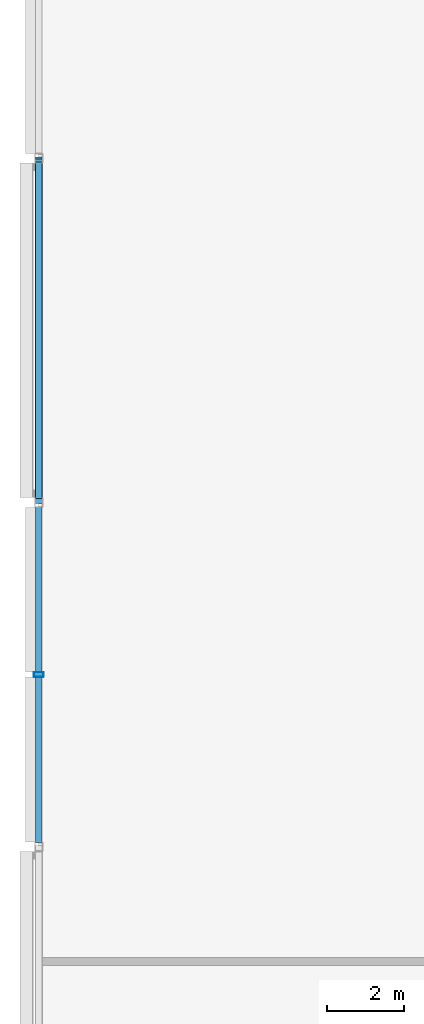
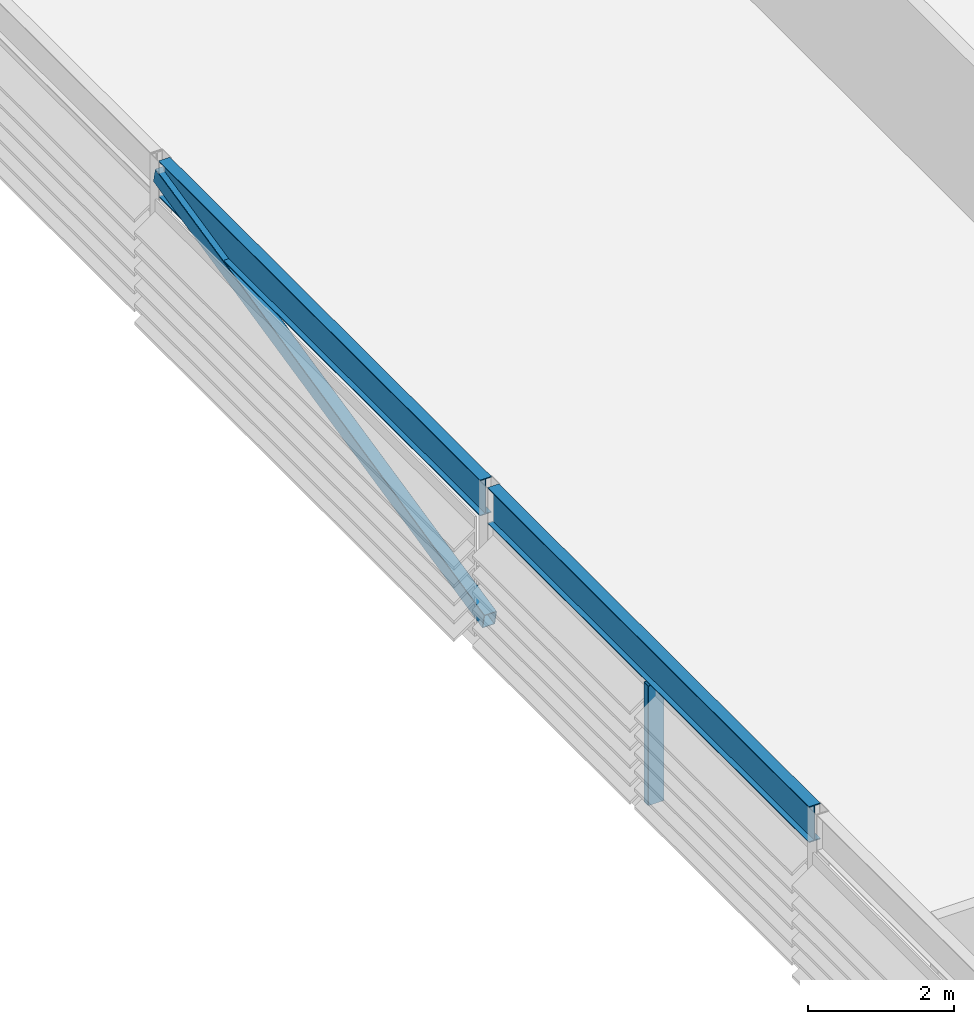
# One storey, part 7 of 27: 2 beams, 2 members.
"""IFC4 building model written with IfcOpenShell, lengths in metres."""

from ifc_helpers import new_model, si_unit, direction, frame, origin, origin_2d, place, context, subcontext, project, spatial, hollow_rectangle, i_section, extrude, material, material_profile, profile_set, type_object, element, save


model = new_model("IFC4")

# Units and contexts
model_context = context("Model", 3, precision=1e-05, world=origin(), true_north=direction((0.0, 1.0)))
body_context = subcontext(model_context, "Body", "Model", "MODEL_VIEW")
ifc_project = project(units=[si_unit("LENGTHUNIT", "METRE"), si_unit("AREAUNIT", "SQUARE_METRE"), si_unit("VOLUMEUNIT", "CUBIC_METRE"), si_unit("PLANEANGLEUNIT", "RADIAN"), si_unit("MASSUNIT", "GRAM", prefix="KILO")], contexts=[model_context])

# Site, building, storey
site_placement = place(None, origin())
site = spatial("IfcSite", under=ifc_project, at=site_placement, CompositionType="ELEMENT")
building_placement = place(site_placement, origin())
building = spatial("IfcBuilding", under=site, at=building_placement, Name="Madar Terraces", CompositionType="ELEMENT")
storey_placement = place(building_placement, frame((0.0, 0.0, 314.300048828125)))
storey = spatial("IfcBuildingStorey", under=building, at=storey_placement, Name="L81", CompositionType="ELEMENT", Elevation=314.300048828125)

# Beams
ifc_material_1 = material(Name="Steel ASTM A992 Grade 50", Category="steel")
ifc_material_profile_1 = material_profile(ifc_material_1, i_section(OverallWidth=0.1787109375, OverallDepth=0.60205078125, WebThickness=0.010986328125, FlangeThickness=0.014892578125, at=origin_2d()), Name="W24x62")
ifc_profile_set_1 = profile_set([ifc_material_profile_1], Name="Steel ASTM A992 Grade 50")
beam_type = type_object("IfcBeamType", Name="CF2 W24x62", PredefinedType="BEAM", material=ifc_profile_set_1)
for number, where, z_axis, x_axis, name in (
    (1, (1.199951171875, 32.8984375, 2.299072265625), (0.0, -1.0, 0.0), (1.0, 0.0, 0.0), "Crown frame ring beam CF2"),
    (2, (1.199951171875, 23.8984375, 2.299072265625), (0.0, -1.0, 0.0), (1.0, 0.0, 0.0), "Crown frame ring beam CF2"),
):
    element("IfcBeam", number, at=place(storey_placement, frame(where, z_axis=z_axis, x_axis=x_axis)), inside=storey, type_object=beam_type, Name=name, PredefinedType="BEAM", context=body_context, shape_type="SweptSolid", body=[
        extrude(i_section(OverallWidth=0.1787109375, OverallDepth=0.60205078125, WebThickness=0.010986328125, FlangeThickness=0.014892578125, at=origin_2d()), origin(), (0.0, 0.0, 1.0), 8.796875),
    ])

# Members
ifc_material_2 = material(Name="Steel ASTM A500 Grade C", Category="steel")
ifc_material_profile_2 = material_profile(ifc_material_2, hollow_rectangle(XDim=0.203125, YDim=0.25390625, WallThickness=0.009521484375, InnerFilletRadius=0.00439453125, OuterFilletRadius=0.01318359375, at=origin_2d()), Name="HSS10x8x.375")
ifc_profile_set_2 = profile_set([ifc_material_profile_2], Name="Steel ASTM A500 Grade C")
member_type_1 = type_object("IfcMemberType", Name="CF5 crown frame brace HSS10x8x.375", PredefinedType="BRACE", material=ifc_profile_set_2)
member_1_placement = place(storey_placement, frame((1.199951171875, 33.0, 2.299072265625), z_axis=(0.0, -0.976209486249, -0.21682951588), x_axis=(1.0, 0.0, 0.0)))
element("IfcMember", 3, at=member_1_placement, inside=storey, type_object=member_type_1, Name="Crown frame brace CF5", PredefinedType="BRACE", context=body_context, shape_type="SweptSolid", body=[
    extrude(hollow_rectangle(XDim=0.203125, YDim=0.25390625, WallThickness=0.009521484375, InnerFilletRadius=0.00439453125, OuterFilletRadius=0.01318359375, at=origin_2d()), origin(), (0.0, 0.0, 1.0), 9.21923828125),
])
ifc_material_3 = material(Name="Steel ASTM A500 Grade C", Category="steel")
ifc_material_profile_3 = material_profile(ifc_material_3, hollow_rectangle(XDim=0.126953125, YDim=0.25390625, WallThickness=0.00634765625, InnerFilletRadius=0.0029296875, OuterFilletRadius=0.0087890625, at=origin_2d()), Name="HSS10x5x.25")
ifc_profile_set_3 = profile_set([ifc_material_profile_3], Name="Steel ASTM A500 Grade C")
member_type_2 = type_object("IfcMemberType", Name="LS2 HSS10x5x.25", PredefinedType="POST", material=ifc_profile_set_3)
member_2_placement = place(storey_placement, frame((1.199951171875, 19.5, 0.0), z_axis=(0.0, 0.0, 1.0), x_axis=(0.0, -1.0, 0.0)))
element("IfcMember", 4, at=member_2_placement, inside=storey, type_object=member_type_2, Name="Crown louvre post LS2", PredefinedType="POST", context=body_context, shape_type="SweptSolid", body=[
    extrude(hollow_rectangle(XDim=0.126953125, YDim=0.25390625, WallThickness=0.00634765625, InnerFilletRadius=0.0029296875, OuterFilletRadius=0.0087890625, at=origin_2d()), origin(), (0.0, 0.0, 1.0), 1.998046875),
])

save(model, "model.ifc")
